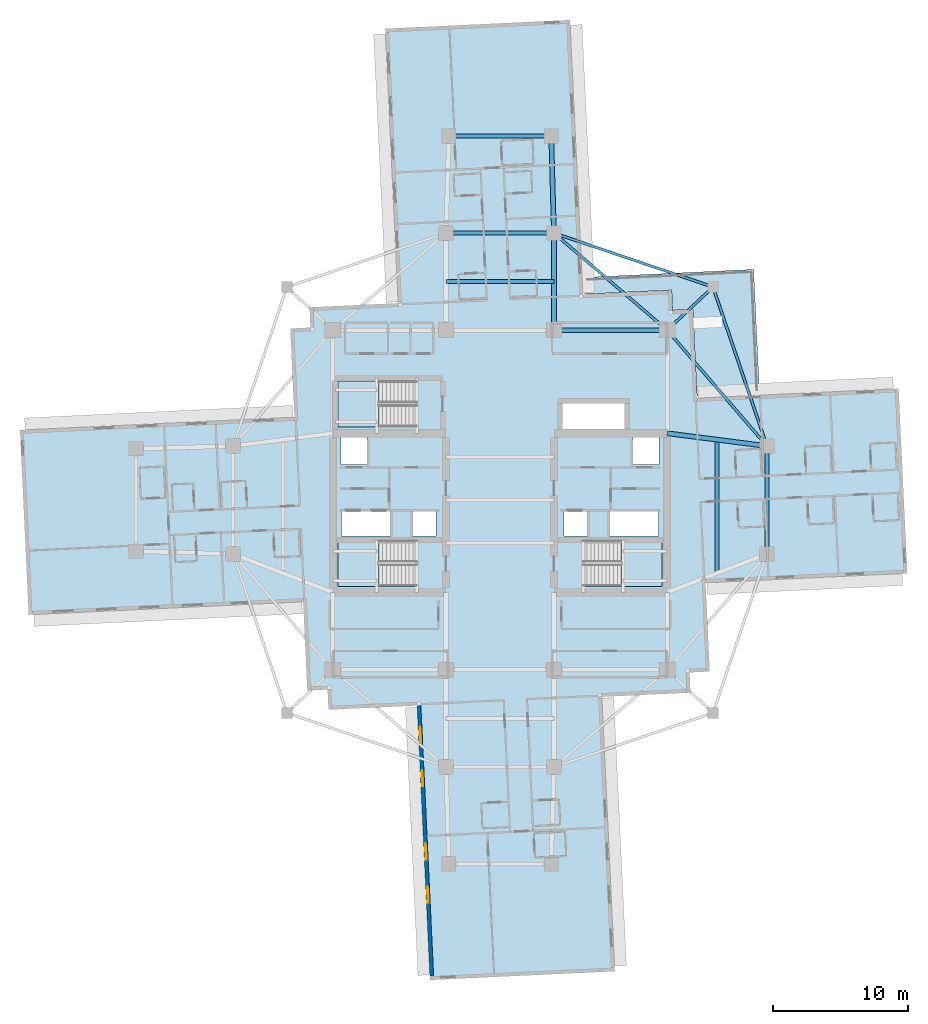
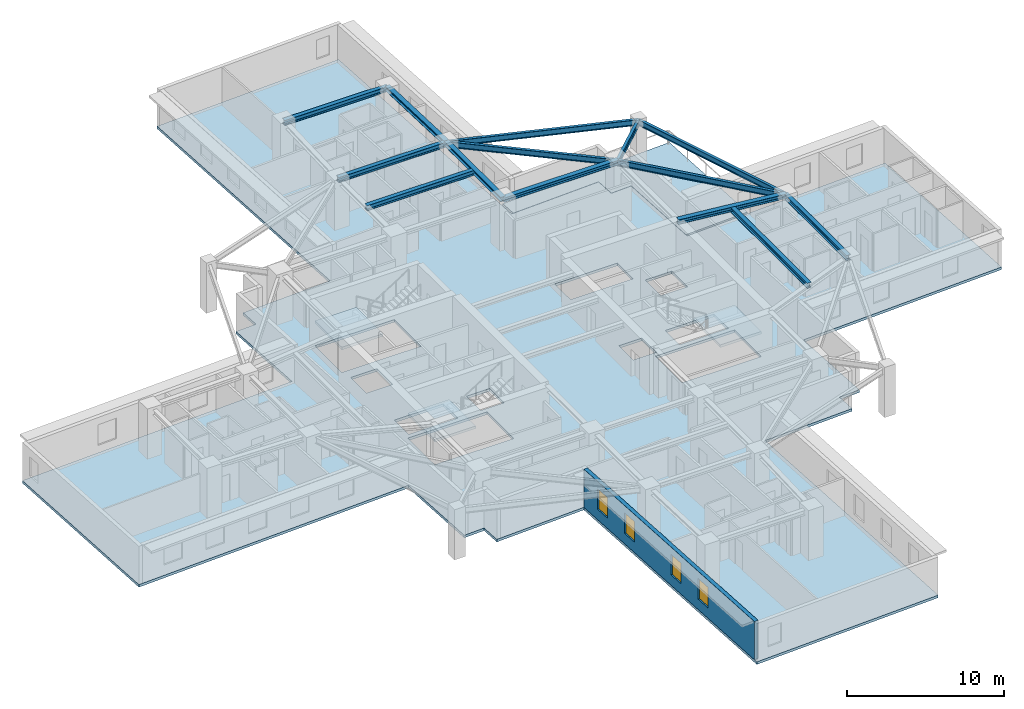
# One storey, part 2 of 14: 14 beams, 5 slabs, 4 windows, 1 wall, 4 openings, 3 elements without a shape of their own.
"""IFC4 building model written with IfcOpenShell, lengths in metres."""

from ifc_helpers import new_model, si_unit, direction, frame, frame_2d, origin, origin_2d, place, context, subcontext, project, spatial, polyline, rectangle, i_section, outline, extrude, material, layer, layer_set, material_profile, profile_set, type_object, element, fill, aggregate, save


model = new_model("IFC4")

# Units and contexts
model_context = context("Model", 3, precision=1e-05, world=origin(), true_north=direction((0.0, 1.0)))
body_context = subcontext(model_context, "Body", "Model", "MODEL_VIEW")
ifc_project = project(units=[si_unit("LENGTHUNIT", "METRE"), si_unit("AREAUNIT", "SQUARE_METRE"), si_unit("VOLUMEUNIT", "CUBIC_METRE"), si_unit("PLANEANGLEUNIT", "RADIAN"), si_unit("MASSUNIT", "GRAM", prefix="KILO")], contexts=[model_context])

# Site, building, storey
site_placement = place(None, origin())
site = spatial("IfcSite", under=ifc_project, at=site_placement, CompositionType="ELEMENT")
building_placement = place(site_placement, origin())
building = spatial("IfcBuilding", under=site, at=building_placement, Name="Qingluan Cross Belvedere", CompositionType="ELEMENT")
storey_placement = place(building_placement, frame((0.0, 0.0, 132.0)))
storey = spatial("IfcBuildingStorey", under=building, at=storey_placement, Name="L33", CompositionType="ELEMENT", Elevation=132.0)

# Beams
ifc_material_1 = material(Name="Steel Q420GJB", Category="steel")
ifc_material_profile_1 = material_profile(ifc_material_1, i_section(OverallWidth=0.300048828125, OverallDepth=0.389892578125, WebThickness=0.010009765625, FlangeThickness=0.01611328125, FilletRadius=0.01806640625, at=origin_2d()), Name="HM390x300x10x16")
ifc_profile_set_1 = profile_set([ifc_material_profile_1], Name="Steel Q420GJB")
beam_type_1 = type_object("IfcBeamType", Name="Steel_Beam_HM390x300x10x16", PredefinedType="BEAM", material=ifc_profile_set_1)
beam_1_placement = place(storey_placement, frame((19.800048828125, -4.0, 3.5048828125), z_axis=(0.0, 1.0, 0.0), x_axis=(-1.0, 0.0, 0.0)))
element("IfcBeam", 1, at=beam_1_placement, inside=storey, type_object=beam_type_1, Name="Arm E tie L33", PredefinedType="BEAM", context=body_context, shape_type="SweptSolid", body=[
    extrude(i_section(OverallWidth=0.300048828125, OverallDepth=0.389892578125, WebThickness=0.010009765625, FlangeThickness=0.01611328125, FilletRadius=0.01806640625, at=origin_2d()), origin(), (0.0, 0.0, 1.0), 8.0),
])
beam_2_placement = place(storey_placement, frame((16.10009765625, -5.425048828125, 3.5048828125), z_axis=(0.0, 1.0, 0.0), x_axis=(-1.0, 0.0, 0.0)))
element("IfcBeam", 2, at=beam_2_placement, inside=storey, type_object=beam_type_1, Name="Arm E beam L33", PredefinedType="BEAM", context=body_context, shape_type="SweptSolid", body=[
    extrude(i_section(OverallWidth=0.300048828125, OverallDepth=0.389892578125, WebThickness=0.010009765625, FlangeThickness=0.01611328125, FilletRadius=0.01806640625, at=origin_2d()), origin(), (0.0, 0.0, 1.0), 9.900146484375),
])
for number, where, z_axis, x_axis, name in (
    (3, (-4.0, 19.800048828125, 3.5048828125), (1.0, 0.0, 0.0), (0.0, 1.0, 0.0), "Arm N tie L33"),
    (4, (-4.0, 16.199951171875, 3.5048828125), (1.0, 0.0, 0.0), (0.0, 1.0, 0.0), "Arm N beam L33"),
):
    element("IfcBeam", number, at=place(storey_placement, frame(where, z_axis=z_axis, x_axis=x_axis)), inside=storey, type_object=beam_type_1, Name=name, PredefinedType="BEAM", context=body_context, shape_type="SweptSolid", body=[
        extrude(i_section(OverallWidth=0.300048828125, OverallDepth=0.389892578125, WebThickness=0.010009765625, FlangeThickness=0.01611328125, FilletRadius=0.01806640625, at=origin_2d()), origin(), (0.0, 0.0, 1.0), 8.0),
    ])
beam_3_placement = place(storey_placement, frame((-3.800048828125, 27.0, 3.5048828125), z_axis=(1.0, 0.0, 0.0), x_axis=(0.0, 1.0, 0.0)))
element("IfcBeam", 5, at=beam_3_placement, inside=storey, type_object=beam_type_1, Name="Arm N tip transverse beam L33", PredefinedType="BEAM", context=body_context, shape_type="SweptSolid", body=[
    extrude(i_section(OverallWidth=0.300048828125, OverallDepth=0.389892578125, WebThickness=0.010009765625, FlangeThickness=0.01611328125, FilletRadius=0.01806640625, at=origin_2d()), origin(), (0.0, 0.0, 1.0), 7.60009765625),
])
ifc_material_2 = material(Name="Steel Q420GJB", Category="steel")
ifc_material_profile_2 = material_profile(ifc_material_2, i_section(OverallWidth=0.199951171875, OverallDepth=0.449951171875, WebThickness=0.009033203125, FlangeThickness=0.013916015625, FilletRadius=0.01611328125, at=origin_2d()), Name="HN450x200x9x14")
ifc_profile_set_2 = profile_set([ifc_material_profile_2], Name="Steel Q420GJB")
beam_type_2 = type_object("IfcBeamType", Name="Steel_Beam_HN450x200x9x14", PredefinedType="JOIST", material=ifc_profile_set_2)
beam_4_placement = place(storey_placement, frame((12.39990234375, 12.60009765625, 3.455078125), z_axis=(0.728219948308, 0.685343495546, 0.0), x_axis=(-0.685343495546, 0.728219948308, 0.0)))
element("IfcBeam", 6, at=beam_4_placement, inside=storey, type_object=beam_type_2, Name="Corner beam 1 L33-RNE", PredefinedType="JOIST", context=body_context, shape_type="SweptSolid", body=[
    extrude(i_section(OverallWidth=0.199951171875, OverallDepth=0.449951171875, WebThickness=0.009033203125, FlangeThickness=0.013916015625, FilletRadius=0.01611328125, at=origin_2d()), origin(), (0.0, 0.0, 1.0), 4.669189453125),
])
for number, where, z_axis, x_axis, name in (
    (7, (15.800048828125, 15.800048828125, 3.455078125), (-0.947066283324, 0.321038089628, 0.0), (-0.321038089628, -0.947066283324, 0.0), "Corner beam 2 L33-RNE"),
    (8, (15.800048828125, 15.800048828125, 3.455078125), (0.321038089628, -0.947066283324, 0.0), (0.947066283324, 0.321038089628, 0.0), "Corner beam 3 L33-RNE"),
):
    element("IfcBeam", number, at=place(storey_placement, frame(where, z_axis=z_axis, x_axis=x_axis)), inside=storey, type_object=beam_type_2, Name=name, PredefinedType="JOIST", context=body_context, shape_type="SweptSolid", body=[
        extrude(i_section(OverallWidth=0.199951171875, OverallDepth=0.449951171875, WebThickness=0.009033203125, FlangeThickness=0.013916015625, FilletRadius=0.01611328125, at=origin_2d()), origin(), (0.0, 0.0, 1.0), 12.45947265625),
    ])
beam_5_placement = place(storey_placement, frame((12.39990234375, 12.60009765625, 3.455078125), z_axis=(0.652245077546, -0.75800815221, 0.0), x_axis=(0.75800815221, 0.652245077546, 0.0)))
element("IfcBeam", 9, at=beam_5_placement, inside=storey, type_object=beam_type_2, Name="Corner beam 4 L33-RNE", PredefinedType="JOIST", context=body_context, shape_type="SweptSolid", body=[
    extrude(i_section(OverallWidth=0.199951171875, OverallDepth=0.449951171875, WebThickness=0.009033203125, FlangeThickness=0.013916015625, FilletRadius=0.01611328125, at=origin_2d()), origin(), (0.0, 0.0, 1.0), 11.345703125),
])
beam_6_placement = place(storey_placement, frame((12.39990234375, 12.60009765625, 3.455078125), z_axis=(-0.759255044656, 0.650793190779, 0.0), x_axis=(-0.650793190779, -0.759255044656, 0.0)))
element("IfcBeam", 10, at=beam_6_placement, inside=storey, type_object=beam_type_2, Name="Corner beam 5 L33-RNE", PredefinedType="JOIST", context=body_context, shape_type="SweptSolid", body=[
    extrude(i_section(OverallWidth=0.199951171875, OverallDepth=0.449951171875, WebThickness=0.009033203125, FlangeThickness=0.013916015625, FilletRadius=0.01611328125, at=origin_2d()), origin(), (0.0, 0.0, 1.0), 11.063232421875),
])
ifc_material_3 = material(Name="Steel Q420GJB", Category="steel")
ifc_material_profile_3 = material_profile(ifc_material_3, i_section(OverallWidth=0.35009765625, OverallDepth=0.35009765625, WebThickness=0.011962890625, FlangeThickness=0.01904296875, FilletRadius=0.02001953125, at=origin_2d()), Name="HW350x350x12x19")
ifc_profile_set_3 = profile_set([ifc_material_profile_3], Name="Steel Q420GJB")
beam_type_3 = type_object("IfcBeamType", Name="Steel_Girder_HW350x350x12x19", PredefinedType="USERDEFINED", material=ifc_profile_set_3)
beam_7_placement = place(storey_placement, frame((4.0, 12.60009765625, 3.52490234375), z_axis=(1.0, 0.0, 0.0), x_axis=(0.0, 1.0, 0.0)))
element("IfcBeam", 11, at=beam_7_placement, inside=storey, type_object=beam_type_3, Name="Hub girder L33-HG-N3", ObjectType="GIRDER", PredefinedType="USERDEFINED", context=body_context, shape_type="SweptSolid", body=[
    extrude(i_section(OverallWidth=0.35009765625, OverallDepth=0.35009765625, WebThickness=0.011962890625, FlangeThickness=0.01904296875, FilletRadius=0.02001953125, at=origin_2d()), origin(), (0.0, 0.0, 1.0), 8.39990234375),
])
beam_8_placement = place(storey_placement, frame((12.39990234375, 4.949951171875, 3.52490234375), z_axis=(0.991861120628, -0.12732445714, 0.0), x_axis=(0.12732445714, 0.991861120628, 0.0)))
element("IfcBeam", 12, at=beam_8_placement, inside=storey, type_object=beam_type_3, Name="Arm E radial girder B L33", ObjectType="GIRDER", PredefinedType="USERDEFINED", context=body_context, shape_type="SweptSolid", body=[
    extrude(i_section(OverallWidth=0.35009765625, OverallDepth=0.35009765625, WebThickness=0.011962890625, FlangeThickness=0.01904296875, FilletRadius=0.02001953125, at=origin_2d()), origin(), (0.0, 0.0, 1.0), 7.4609375),
])
beam_9_placement = place(storey_placement, frame((4.0, 12.60009765625, 3.52490234375), z_axis=(0.0, 1.0, 0.0), x_axis=(-1.0, 0.0, 0.0)))
element("IfcBeam", 13, at=beam_9_placement, inside=storey, type_object=beam_type_3, Name="Arm N radial girder B L33", ObjectType="GIRDER", PredefinedType="USERDEFINED", context=body_context, shape_type="SweptSolid", body=[
    extrude(i_section(OverallWidth=0.35009765625, OverallDepth=0.35009765625, WebThickness=0.011962890625, FlangeThickness=0.01904296875, FilletRadius=0.02001953125, at=origin_2d()), origin(), (0.0, 0.0, 1.0), 7.199951171875),
])
beam_10_placement = place(storey_placement, frame((4.0, 19.800048828125, 3.52490234375), z_axis=(-0.027760481514, 0.999614603568, 0.0), x_axis=(-0.999614603568, -0.027760481514, 0.0)))
element("IfcBeam", 14, at=beam_10_placement, inside=storey, type_object=beam_type_3, Name="Arm N outer radial girder B L33", ObjectType="GIRDER", PredefinedType="USERDEFINED", context=body_context, shape_type="SweptSolid", body=[
    extrude(i_section(OverallWidth=0.35009765625, OverallDepth=0.35009765625, WebThickness=0.011962890625, FlangeThickness=0.01904296875, FilletRadius=0.02001953125, at=origin_2d()), origin(), (0.0, 0.0, 1.0), 7.20263671875),
])

# Slab
ifc_material_4 = material(Name="Concrete C40", Category="concrete")
ifc_layer_1 = layer(ifc_material_4, 0.199951171875, Name="FloorSlab_200")
ifc_layer_set_1 = layer_set([ifc_layer_1], Name="Concrete C40")
slab_type_1 = type_object("IfcSlabType", Name="FloorSlab_200", PredefinedType="FLOOR", material=ifc_layer_set_1)
slab_1_placement = place(storey_placement, frame((0.0, 0.0, -0.199951171875)))
element("IfcSlab", 15, at=slab_1_placement, inside=storey, type_object=slab_type_1, Name="Structural floor slab L33", PredefinedType="FLOOR", context=body_context, shape_type="SweptSolid", body=[
    extrude(outline(polyline([(8.51611328125, -34.95751953125), (7.55615234375, -14.600341796875), (14.12890625, -14.290283203125), (14.05810546875, -12.7919921875), (15.556396484375, -12.72119140625), (15.24658203125, -6.148681640625), (30.2099609375, -5.443115234375), (29.563720703125, 8.26171875), (14.600341796875, 7.55615234375), (14.290283203125, 14.12890625), (12.7919921875, 14.05810546875), (12.72119140625, 15.556396484375), (6.148681640625, 15.24658203125), (5.188720703125, 35.60400390625), (-8.51611328125, 34.95751953125), (-7.55615234375, 14.600341796875), (-14.12890625, 14.290283203125), (-14.05810546875, 12.7919921875), (-15.556396484375, 12.72119140625), (-15.24658203125, 6.148681640625), (-35.60400390625, 5.188720703125), (-34.95751953125, -8.51611328125), (-14.600341796875, -7.55615234375), (-14.290283203125, -14.12890625), (-12.7919921875, -14.05810546875), (-12.72119140625, -15.556396484375), (-6.148681640625, -15.24658203125), (-5.188720703125, -35.60400390625), (8.51611328125, -34.95751953125)]), holes=[polyline([(-12.0, -3.0), (-6.179931640625, -3.0), (-6.179931640625, -6.39990234375), (-12.0, -6.39990234375), (-12.0, -3.0)]), polyline([(6.179931640625, -3.0), (12.0, -3.0), (12.0, -6.39990234375), (6.179931640625, -6.39990234375), (6.179931640625, -3.0)]), polyline([(-12.0, 8.820068359375), (-6.179931640625, 8.820068359375), (-6.179931640625, 5.419921875), (-12.0, 5.419921875), (-12.0, 8.820068359375)]), polyline([(-11.800048828125, 4.64990234375), (-9.85009765625, 4.64990234375), (-9.85009765625, 2.64990234375), (-11.800048828125, 2.64990234375), (-11.800048828125, 4.64990234375)]), polyline([(9.85009765625, 4.64990234375), (11.800048828125, 4.64990234375), (11.800048828125, 2.64990234375), (9.85009765625, 2.64990234375), (9.85009765625, 4.64990234375)]), polyline([(-11.75, -0.840087890625), (-8.14990234375, -0.840087890625), (-8.14990234375, -2.659912109375), (-11.75, -2.659912109375), (-11.75, -0.840087890625)]), polyline([(-6.449951171875, -0.840087890625), (-4.75, -0.840087890625), (-4.75, -2.659912109375), (-6.449951171875, -2.659912109375), (-6.449951171875, -0.840087890625)]), polyline([(4.75, -0.840087890625), (6.449951171875, -0.840087890625), (6.449951171875, -2.659912109375), (4.75, -2.659912109375), (4.75, -0.840087890625)]), polyline([(8.14990234375, -0.840087890625), (11.75, -0.840087890625), (11.75, -2.659912109375), (8.14990234375, -2.659912109375), (8.14990234375, -0.840087890625)]), polyline([(4.64990234375, 7.14990234375), (9.25, 7.14990234375), (9.25, 5.14990234375), (4.64990234375, 5.14990234375), (4.64990234375, 7.14990234375)])]), origin(), (0.0, 0.0, 1.0), 0.199951171875),
])

# Stair, slab
ifc_material_5 = material(Name="Concrete C40", Category="concrete")
stair_type = type_object("IfcStairType", Name="CoreDoglegStair_1620", PredefinedType="HALF_TURN_STAIR", material=ifc_material_5)
stair_1_placement = place(storey_placement, origin())
stair_1 = element("IfcStair", 16, at=stair_1_placement, inside=storey, type_object=stair_type, Name="L33 ST1", PredefinedType="HALF_TURN_STAIR")
ifc_material_6 = material(Name="Concrete C40", Category="concrete")
ifc_layer_2 = layer(ifc_material_6, 0.179931640625, Name="StairLandingSlab_180")
ifc_layer_set_2 = layer_set([ifc_layer_2], Name="Concrete C40")
slab_type_2 = type_object("IfcSlabType", Name="StairLandingSlab_180", PredefinedType="LANDING", material=ifc_layer_set_2)
slab_2_placement = place(storey_placement, frame((0.0, 0.0, 1.75)))
slab_2 = element("IfcSlab", 17, at=slab_2_placement, type_object=slab_type_2, Name="ST1 landing 1", PredefinedType="LANDING", context=body_context, shape_type="SweptSolid", body=[
    extrude(outline(polyline([(-8.97998046875, -3.0), (-12.0, -3.0), (-12.0, -6.39990234375), (-8.97998046875, -6.39990234375), (-8.97998046875, -3.0)])), origin(), (0.0, 0.0, 1.0), 0.199951171875),
])
aggregate(stair_1, [slab_2])

stair_2_placement = place(storey_placement, origin())
stair_2 = element("IfcStair", 18, at=stair_2_placement, inside=storey, type_object=stair_type, Name="L33 ST2", PredefinedType="HALF_TURN_STAIR")
slab_3_placement = place(storey_placement, frame((0.0, 0.0, 1.75)))
slab_3 = element("IfcSlab", 19, at=slab_3_placement, type_object=slab_type_2, Name="ST2 landing 1", PredefinedType="LANDING", context=body_context, shape_type="SweptSolid", body=[
    extrude(outline(polyline([(8.97998046875, -6.39990234375), (12.0, -6.39990234375), (12.0, -3.0), (8.97998046875, -3.0), (8.97998046875, -6.39990234375)])), origin(), (0.0, 0.0, 1.0), 0.199951171875),
])
aggregate(stair_2, [slab_3])

stair_3_placement = place(storey_placement, origin())
stair_3 = element("IfcStair", 20, at=stair_3_placement, inside=storey, type_object=stair_type, Name="L33 ST3", PredefinedType="HALF_TURN_STAIR")
slab_4_placement = place(storey_placement, frame((0.0, 0.0, 1.75)))
slab_4 = element("IfcSlab", 21, at=slab_4_placement, type_object=slab_type_2, Name="ST3 landing 1", PredefinedType="LANDING", context=body_context, shape_type="SweptSolid", body=[
    extrude(outline(polyline([(-8.97998046875, 8.820068359375), (-12.0, 8.820068359375), (-12.0, 5.419921875), (-8.97998046875, 5.419921875), (-8.97998046875, 8.820068359375)])), origin(), (0.0, 0.0, 1.0), 0.199951171875),
])
aggregate(stair_3, [slab_4])

# Slab
ifc_material_7 = material(Name="Concrete C40", Category="concrete")
ifc_layer_3 = layer(ifc_material_7, 0.219970703125, Name="TerraceSlab_220")
ifc_layer_set_3 = layer_set([ifc_layer_3], Name="Concrete C40")
slab_type_3 = type_object("IfcSlabType", Name="TerraceSlab_220", PredefinedType="FLOOR", material=ifc_layer_set_3)
slab_5_placement = place(storey_placement, frame((0.0, 0.0, -0.219970703125)))
element("IfcSlab", 22, at=slab_5_placement, inside=storey, type_object=slab_type_3, Name="Spiralling winter-garden terrace slab L33", PredefinedType="FLOOR", context=body_context, shape_type="SweptSolid", body=[
    extrude(outline(polyline([(6.2880859375, 15.26318359375), (12.7265625, 15.565185546875), (12.801513671875, 14.068603515625), (14.289794921875, 14.138916015625), (14.300048828125, 14.13134765625), (14.603759765625, 7.696533203125), (19.24853515625, 7.91552734375), (18.815185546875, 17.105224609375), (6.22900390625, 16.51171875), (6.2880859375, 15.26318359375)])), origin(), (0.0, 0.0, 1.0), 0.219970703125),
])

# Wall, openings, windows
ifc_material_8 = material(Name="Precast concrete C45", Category="concrete")
ifc_layer_4 = layer(ifc_material_8, 0.280029296875, Name="PrecastFacadeWall_280")
ifc_layer_set_4 = layer_set([ifc_layer_4], Name="Precast concrete C45")
wall_type = type_object("IfcWallType", Name="PrecastFacadeWall_280", PredefinedType="STANDARD", material=ifc_layer_set_4)
wall_placement = place(storey_placement, frame((-6.0087890625, -15.239990234375, 0.0), z_axis=(0.0, 0.0, 1.0), x_axis=(0.047103473814, -0.998890015344, 0.0)))
wall = element("IfcWall", 23, at=wall_placement, inside=storey, type_object=wall_type, Name="Facade wall L33-SA", PredefinedType="STANDARD", context=body_context, shape_type="SweptSolid", body=[
    extrude(rectangle(XDim=20.099853515625, YDim=0.280029296875, at=frame_2d((10.0498046875, 0.0))), origin(), (0.0, 0.0, 1.0), 2.969970703125),
])
opening_1_placement = place(wall_placement, frame((1.60009765625, 0.0, 0.800048828125)))
opening_1 = element("IfcOpeningElement", 24, at=opening_1_placement, cuts=wall, Name="Opening W-02", PredefinedType="OPENING", context=body_context, shape_type="SweptSolid", body=[
    extrude(rectangle(XDim=1.199951171875, YDim=1.60009765625, at=frame_2d((0.60009765625, 0.800048828125))), frame((0.0, 0.14990234375, 0.0), z_axis=(0.0, -1.0, 0.0), x_axis=(1.0, 0.0, 0.0)), (0.0, 0.0, 1.0), 0.300048828125),
])
opening_2_placement = place(wall_placement, frame((4.800048828125, 0.0, 0.800048828125)))
opening_2 = element("IfcOpeningElement", 25, at=opening_2_placement, cuts=wall, Name="Opening W-02", PredefinedType="OPENING", context=body_context, shape_type="SweptSolid", body=[
    extrude(rectangle(XDim=1.199951171875, YDim=1.60009765625, at=frame_2d((0.60009765625, 0.800048828125))), frame((0.0, 0.14990234375, 0.0), z_axis=(0.0, -1.0, 0.0), x_axis=(1.0, 0.0, 0.0)), (0.0, 0.0, 1.0), 0.300048828125),
])
opening_3_placement = place(wall_placement, frame((10.25, 0.0, 0.800048828125)))
opening_3 = element("IfcOpeningElement", 26, at=opening_3_placement, cuts=wall, Name="Opening W-02", PredefinedType="OPENING", context=body_context, shape_type="SweptSolid", body=[
    extrude(rectangle(XDim=1.199951171875, YDim=1.60009765625, at=frame_2d((0.60009765625, 0.800048828125))), frame((0.0, 0.14990234375, 0.0), z_axis=(0.0, -1.0, 0.0), x_axis=(1.0, 0.0, 0.0)), (0.0, 0.0, 1.0), 0.300048828125),
])
opening_4_placement = place(wall_placement, frame((13.449951171875, 0.0, 0.800048828125)))
opening_4 = element("IfcOpeningElement", 27, at=opening_4_placement, cuts=wall, Name="Opening W-02", PredefinedType="OPENING", context=body_context, shape_type="SweptSolid", body=[
    extrude(rectangle(XDim=1.199951171875, YDim=1.60009765625, at=frame_2d((0.60009765625, 0.800048828125))), frame((0.0, 0.14990234375, 0.0), z_axis=(0.0, -1.0, 0.0), x_axis=(1.0, 0.0, 0.0)), (0.0, 0.0, 1.0), 0.300048828125),
])
ifc_material_9 = material(Name="Thermally broken triple Low-E glass in aluminium frame", Category="aluminium")
window_type = type_object("IfcWindowType", Name="TriRibbonWin_1200x1600", PartitioningType="SINGLE_PANEL", PredefinedType="WINDOW", material=ifc_material_9)
window_1_placement = place(opening_1_placement, origin())
window_1 = element("IfcWindow", 28, at=window_1_placement, inside=storey, type_object=window_type, Name="Ribbon window L33-SA-1", OverallHeight=1.60009765625, OverallWidth=1.199951171875, PartitioningType="SINGLE_PANEL", PredefinedType="WINDOW", context=body_context, shape_type="SweptSolid", body=[
    extrude(rectangle(XDim=1.199951171875, YDim=1.60009765625, at=frame_2d((0.60009765625, 0.800048828125))), frame((0.0, 0.030029296875, 0.0), z_axis=(0.0, -1.0, 0.0), x_axis=(1.0, 0.0, 0.0)), (0.0, 0.0, 1.0), 0.06005859375),
])
fill(opening_1, window_1)
window_2_placement = place(opening_2_placement, origin())
window_2 = element("IfcWindow", 29, at=window_2_placement, inside=storey, type_object=window_type, Name="Ribbon window L33-SA-2", OverallHeight=1.60009765625, OverallWidth=1.199951171875, PartitioningType="SINGLE_PANEL", PredefinedType="WINDOW", context=body_context, shape_type="SweptSolid", body=[
    extrude(rectangle(XDim=1.199951171875, YDim=1.60009765625, at=frame_2d((0.60009765625, 0.800048828125))), frame((0.0, 0.030029296875, 0.0), z_axis=(0.0, -1.0, 0.0), x_axis=(1.0, 0.0, 0.0)), (0.0, 0.0, 1.0), 0.06005859375),
])
fill(opening_2, window_2)
window_3_placement = place(opening_3_placement, origin())
window_3 = element("IfcWindow", 30, at=window_3_placement, inside=storey, type_object=window_type, Name="Ribbon window L33-SA-3", OverallHeight=1.60009765625, OverallWidth=1.199951171875, PartitioningType="SINGLE_PANEL", PredefinedType="WINDOW", context=body_context, shape_type="SweptSolid", body=[
    extrude(rectangle(XDim=1.199951171875, YDim=1.60009765625, at=frame_2d((0.60009765625, 0.800048828125))), frame((0.0, 0.030029296875, 0.0), z_axis=(0.0, -1.0, 0.0), x_axis=(1.0, 0.0, 0.0)), (0.0, 0.0, 1.0), 0.06005859375),
])
fill(opening_3, window_3)
window_4_placement = place(opening_4_placement, origin())
window_4 = element("IfcWindow", 31, at=window_4_placement, inside=storey, type_object=window_type, Name="Ribbon window L33-SA-4", OverallHeight=1.60009765625, OverallWidth=1.199951171875, PartitioningType="SINGLE_PANEL", PredefinedType="WINDOW", context=body_context, shape_type="SweptSolid", body=[
    extrude(rectangle(XDim=1.199951171875, YDim=1.60009765625, at=frame_2d((0.60009765625, 0.800048828125))), frame((0.0, 0.030029296875, 0.0), z_axis=(0.0, -1.0, 0.0), x_axis=(1.0, 0.0, 0.0)), (0.0, 0.0, 1.0), 0.06005859375),
])
fill(opening_4, window_4)

save(model, "model.ifc")
